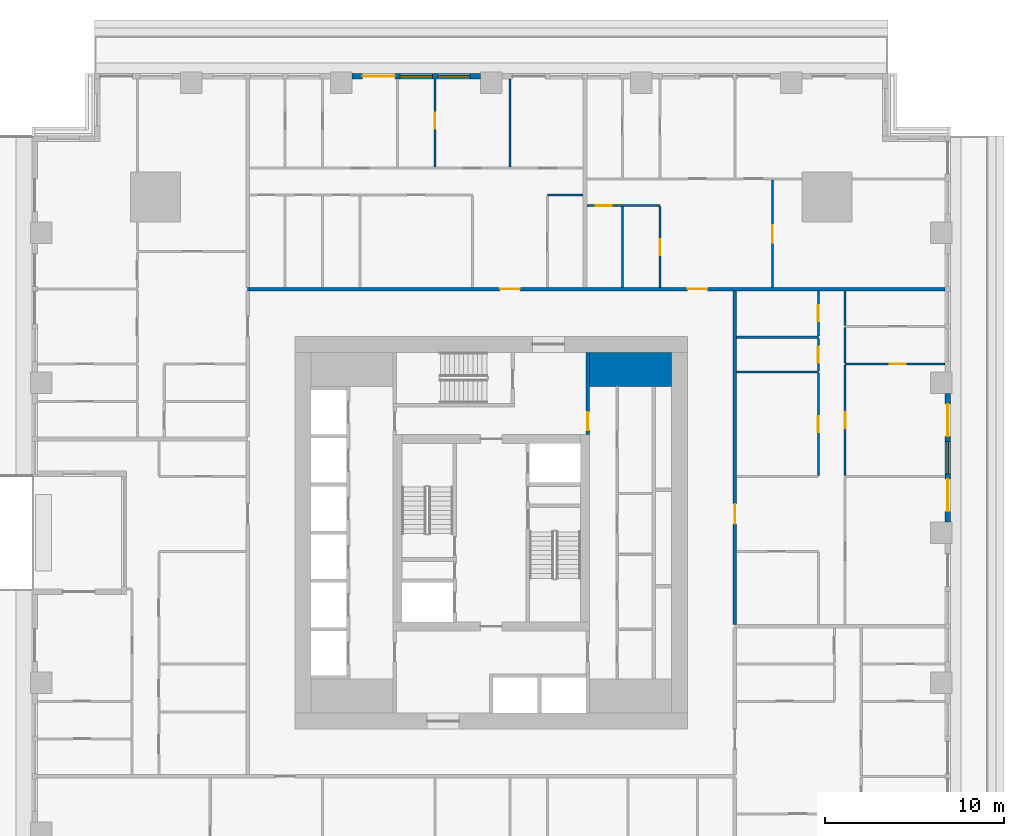
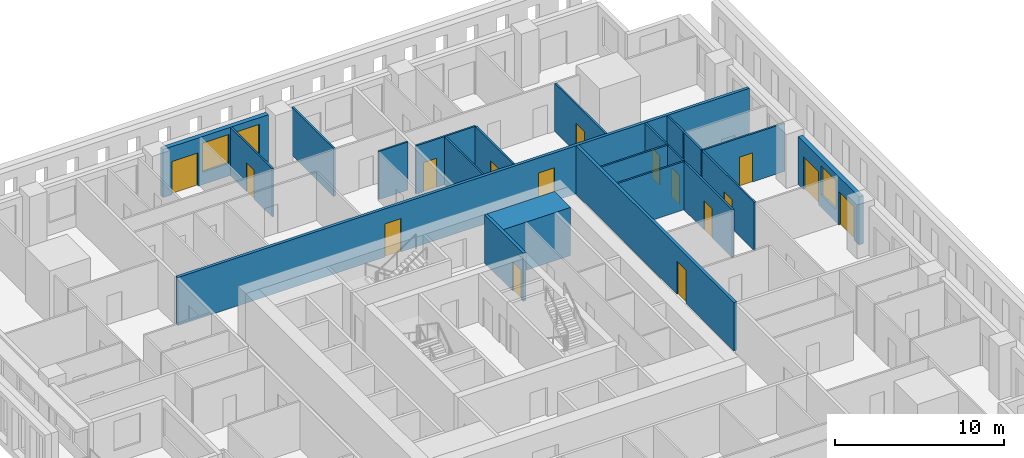
# One storey, part 9 of 16: 22 walls, 16 doors, 3 windows, 19 openings.
"""IFC4 building model written with IfcOpenShell, lengths in metres."""

from ifc_helpers import new_model, si_unit, direction, frame, frame_2d, origin, place, context, subcontext, project, spatial, rectangle, extrude, material, layer, layer_set, type_object, element, fill, save


model = new_model("IFC4")

# Units and contexts
model_context = context("Model", 3, precision=1e-05, world=origin(), true_north=direction((0.0, 1.0)))
body_context = subcontext(model_context, "Body", "Model", "MODEL_VIEW")
ifc_project = project(units=[si_unit("LENGTHUNIT", "METRE"), si_unit("AREAUNIT", "SQUARE_METRE"), si_unit("VOLUMEUNIT", "CUBIC_METRE"), si_unit("PLANEANGLEUNIT", "RADIAN"), si_unit("MASSUNIT", "GRAM", prefix="KILO")], contexts=[model_context])

# Site, building, storey
site_placement = place(None, origin())
site = spatial("IfcSite", under=ifc_project, at=site_placement, CompositionType="ELEMENT")
building_placement = place(site_placement, origin())
building = spatial("IfcBuilding", under=site, at=building_placement, Name="Khepri Terraces", CompositionType="ELEMENT")
storey_placement = place(building_placement, frame((0.0, 0.0, 79.199951171875)))
storey = spatial("IfcBuildingStorey", under=building, at=storey_placement, Name="L18", CompositionType="ELEMENT", Elevation=79.199951171875)

# Wall
ifc_material_1 = material(Name="Concrete C70/85", Category="concrete")
ifc_layer_1 = layer(ifc_material_1, 1.89990234375, Name="Concrete C70/85", Category="concrete")
ifc_layer_set_1 = layer_set([ifc_layer_1], Name="Concrete C70/85")
wall_type_1 = type_object("IfcWallType", Name="Core wall 1900 C70/85", PredefinedType="SHEAR", material=ifc_layer_set_1)
wall_1_placement = place(storey_placement, frame((5.5, 9.14990234375, 0.0), z_axis=(0.0, 0.0, 1.0), x_axis=(1.0, 0.0, 0.0)))
element("IfcWall", 1, at=wall_1_placement, inside=storey, type_object=wall_type_1, Name="Core wall PR04 L18", PredefinedType="SHEAR", context=body_context, shape_type="SweptSolid", body=[
    extrude(rectangle(XDim=4.60009765625, YDim=1.89990234375, at=frame_2d((2.300048828125, 0.0))), origin(), (0.0, 0.0, 1.0), 3.47998046875),
])

# Wall, opening, door
ifc_material_2 = material(Name="Fire-rated gypsum board partition")
ifc_layer_2 = layer(ifc_material_2, 0.199951171875, Name="Fire-rated gypsum board partition")
ifc_layer_set_2 = layer_set([ifc_layer_2], Name="Fire-rated gypsum board partition")
wall_type_2 = type_object("IfcWallType", Name="WL-CORE-PART-200", PredefinedType="PARTITIONING", material=ifc_layer_set_2)
wall_2_placement = place(storey_placement, frame((5.39990234375, 5.5, 0.0), z_axis=(0.0, 0.0, 1.0), x_axis=(0.0, 1.0, 0.0)))
wall_2 = element("IfcWall", 2, at=wall_2_placement, inside=storey, type_object=wall_type_2, Name="Core partition PT08 L18", PredefinedType="PARTITIONING", context=body_context, shape_type="SweptSolid", body=[
    extrude(rectangle(XDim=4.60009765625, YDim=0.199951171875, at=frame_2d((2.300048828125, 0.0))), origin(), (0.0, 0.0, 1.0), 3.47998046875),
])
opening_1_placement = place(wall_2_placement, frame((0.25, 0.0, 0.0)))
opening_1 = element("IfcOpeningElement", 3, at=opening_1_placement, cuts=wall_2, Name="Opening L18-C17", PredefinedType="OPENING", context=body_context, shape_type="SweptSolid", body=[
    extrude(rectangle(XDim=1.0, YDim=2.10009765625, at=frame_2d((0.5, 1.050048828125))), frame((0.0, 0.10986328125, 0.0), z_axis=(0.0, -1.0, 0.0), x_axis=(1.0, 0.0, 0.0)), (0.0, 0.0, 1.0), 0.219970703125),
])
ifc_material_3 = material(Name="Painted steel", Category="steel")
door_type_1 = type_object("IfcDoorType", Name="DR-CORE-LOBBY-1000", OperationType="NOTDEFINED", PredefinedType="DOOR", material=ifc_material_3)
door_1_placement = place(opening_1_placement, origin())
door_1 = element("IfcDoor", 4, at=door_1_placement, inside=storey, type_object=door_type_1, Name="Lobby door L18-C17", OperationType="SINGLE_SWING_LEFT", OverallHeight=2.10009765625, OverallWidth=1.0, PredefinedType="DOOR", context=body_context, shape_type="SweptSolid", body=[
    extrude(rectangle(XDim=1.0, YDim=2.10009765625, at=frame_2d((0.5, 1.050048828125))), frame((0.0, 0.02490234375, 0.0), z_axis=(0.0, -1.0, 0.0), x_axis=(1.0, 0.0, 0.0)), (0.0, 0.0, 1.0), 0.050048828125),
])
fill(opening_1, door_1)

ifc_material_4 = material(Name="Fire-rated gypsum plasterboard partition, mineral wool")
ifc_layer_3 = layer(ifc_material_4, 0.199951171875, Name="Fire-rated gypsum plasterboard partition, mineral wool")
ifc_layer_set_3 = layer_set([ifc_layer_3], Name="Fire-rated gypsum plasterboard partition, mineral wool")
wall_type_3 = type_object("IfcWallType", Name="WL-CORR-200", PredefinedType="PARTITIONING", material=ifc_layer_set_3)
wall_3_placement = place(storey_placement, frame((13.64990234375, -5.14990234375, 0.0), z_axis=(0.0, 0.0, 1.0), x_axis=(0.0, 1.0, 0.0)))
wall_3 = element("IfcWall", 5, at=wall_3_placement, inside=storey, type_object=wall_type_3, Name="Partition P-047 L18", PredefinedType="PARTITIONING", context=body_context, shape_type="SweptSolid", body=[
    extrude(rectangle(XDim=18.699951171875, YDim=0.199951171875, at=frame_2d((9.35009765625, 0.0))), origin(), (0.0, 0.0, 1.0), 3.47998046875),
])
opening_2_placement = place(wall_3_placement, frame((5.64990234375, 0.0, 0.0)))
opening_2 = element("IfcOpeningElement", 6, at=opening_2_placement, cuts=wall_3, Name="Opening D1", PredefinedType="OPENING", context=body_context, shape_type="SweptSolid", body=[
    extrude(rectangle(XDim=1.10009765625, YDim=2.39990234375, at=frame_2d((0.550048828125, 1.199951171875))), frame((0.0, 0.10986328125, 0.0), z_axis=(0.0, -1.0, 0.0), x_axis=(1.0, 0.0, 0.0)), (0.0, 0.0, 1.0), 0.219970703125),
])
ifc_material_5 = material(Name="Solid-core timber door leaf, flat entrance door", Category="wood")
door_type_2 = type_object("IfcDoorType", Name="DR-ENT-1100", OperationType="NOTDEFINED", PredefinedType="DOOR", material=ifc_material_5)
door_2_placement = place(opening_2_placement, frame((1.10009765625, 0.0, 0.0), z_axis=(0.0, 0.0, 1.0), x_axis=(-1.0, 0.0, 0.0)))
door_2 = element("IfcDoor", 7, at=door_2_placement, inside=storey, type_object=door_type_2, Name="Flat B2 entrance door", OperationType="SINGLE_SWING_RIGHT", OverallHeight=2.39990234375, OverallWidth=1.10009765625, PredefinedType="DOOR", context=body_context, shape_type="SweptSolid", body=[
    extrude(rectangle(XDim=1.10009765625, YDim=2.39990234375, at=frame_2d((0.550048828125, 1.199951171875))), frame((0.0, 0.02490234375, 0.0), z_axis=(0.0, -1.0, 0.0), x_axis=(1.0, 0.0, 0.0)), (0.0, 0.0, 1.0), 0.050048828125),
])
fill(opening_2, door_2)

# Wall, openings, doors
wall_4_placement = place(storey_placement, frame((-13.64990234375, 13.64990234375, 0.0), z_axis=(0.0, 0.0, 1.0), x_axis=(1.0, 0.0, 0.0)))
wall_4 = element("IfcWall", 8, at=wall_4_placement, inside=storey, type_object=wall_type_3, Name="Partition P-079 L18", PredefinedType="PARTITIONING", context=body_context, shape_type="SweptSolid", body=[
    extrude(rectangle(XDim=39.06982421875, YDim=0.199951171875, at=frame_2d((19.534912109375, 0.0))), origin(), (0.0, 0.0, 1.0), 3.47998046875),
])
opening_3_placement = place(wall_4_placement, frame((24.64990234375, 0.0, 0.0)))
opening_3 = element("IfcOpeningElement", 9, at=opening_3_placement, cuts=wall_4, Name="Opening D1", PredefinedType="OPENING", context=body_context, shape_type="SweptSolid", body=[
    extrude(rectangle(XDim=1.10009765625, YDim=2.39990234375, at=frame_2d((0.550048828125, 1.199951171875))), frame((0.0, 0.10986328125, 0.0), z_axis=(0.0, -1.0, 0.0), x_axis=(1.0, 0.0, 0.0)), (0.0, 0.0, 1.0), 0.219970703125),
])
opening_4_placement = place(wall_4_placement, frame((14.14990234375, 0.0, 0.0)))
opening_4 = element("IfcOpeningElement", 10, at=opening_4_placement, cuts=wall_4, Name="Opening D1", PredefinedType="OPENING", context=body_context, shape_type="SweptSolid", body=[
    extrude(rectangle(XDim=1.10009765625, YDim=2.39990234375, at=frame_2d((0.550048828125, 1.199951171875))), frame((0.0, 0.10986328125, 0.0), z_axis=(0.0, -1.0, 0.0), x_axis=(1.0, 0.0, 0.0)), (0.0, 0.0, 1.0), 0.219970703125),
])
door_3_placement = place(opening_3_placement, origin())
door_3 = element("IfcDoor", 11, at=door_3_placement, inside=storey, type_object=door_type_2, Name="Flat C1 entrance door", OperationType="SINGLE_SWING_RIGHT", OverallHeight=2.39990234375, OverallWidth=1.10009765625, PredefinedType="DOOR", context=body_context, shape_type="SweptSolid", body=[
    extrude(rectangle(XDim=1.10009765625, YDim=2.39990234375, at=frame_2d((0.550048828125, 1.199951171875))), frame((0.0, 0.02490234375, 0.0), z_axis=(0.0, -1.0, 0.0), x_axis=(1.0, 0.0, 0.0)), (0.0, 0.0, 1.0), 0.050048828125),
])
fill(opening_3, door_3)
door_4_placement = place(opening_4_placement, origin())
door_4 = element("IfcDoor", 12, at=door_4_placement, inside=storey, type_object=door_type_2, Name="Flat C2 entrance door", OperationType="SINGLE_SWING_LEFT", OverallHeight=2.39990234375, OverallWidth=1.10009765625, PredefinedType="DOOR", context=body_context, shape_type="SweptSolid", body=[
    extrude(rectangle(XDim=1.10009765625, YDim=2.39990234375, at=frame_2d((0.550048828125, 1.199951171875))), frame((0.0, 0.02490234375, 0.0), z_axis=(0.0, -1.0, 0.0), x_axis=(1.0, 0.0, 0.0)), (0.0, 0.0, 1.0), 0.050048828125),
])
fill(opening_4, door_4)

# Wall, openings, doors, window
ifc_material_6 = material(Name="Precast concrete C50/60 warm stone", Category="masonry")
ifc_layer_4 = layer(ifc_material_6, 0.300048828125, Name="Precast concrete C50/60 warm stone", Category="masonry")
ifc_layer_set_4 = layer_set([ifc_layer_4], Name="Precast concrete C50/60 warm stone")
wall_type_4 = type_object("IfcWallType", Name="WL-EXT-PRECAST-300", PredefinedType="STANDARD", material=ifc_layer_set_4)
wall_5_placement = place(storey_placement, frame((25.570068359375, 0.60009765625, 0.0), z_axis=(0.0, 0.0, 1.0), x_axis=(0.0, 1.0, 0.0)))
wall_5 = element("IfcWall", 13, at=wall_5_placement, inside=storey, type_object=wall_type_4, Name="External wall L18 E", PredefinedType="STANDARD", context=body_context, shape_type="SweptSolid", body=[
    extrude(rectangle(XDim=7.199951171875, YDim=0.300048828125, at=frame_2d((3.60009765625, 0.0))), origin(), (0.0, 0.0, 1.0), 3.47998046875),
])
opening_5_placement = place(wall_5_placement, frame((0.60009765625, 0.0, 0.0)))
opening_5 = element("IfcOpeningElement", 14, at=opening_5_placement, cuts=wall_5, Name="Opening ED-L18-05", PredefinedType="OPENING", context=body_context, shape_type="SweptSolid", body=[
    extrude(rectangle(XDim=1.800048828125, YDim=2.39990234375, at=frame_2d((0.89990234375, 1.199951171875))), frame((0.0, 0.16015625, 0.0), z_axis=(0.0, -1.0, 0.0), x_axis=(1.0, 0.0, 0.0)), (0.0, 0.0, 1.0), 0.320068359375),
])
opening_6_placement = place(wall_5_placement, frame((2.699951171875, 0.0, 0.89990234375)))
opening_6 = element("IfcOpeningElement", 15, at=opening_6_placement, cuts=wall_5, Name="Opening W1", PredefinedType="OPENING", context=body_context, shape_type="SweptSolid", body=[
    extrude(rectangle(XDim=1.800048828125, YDim=2.10009765625, at=frame_2d((0.89990234375, 1.050048828125))), frame((0.0, 0.16015625, 0.0), z_axis=(0.0, -1.0, 0.0), x_axis=(1.0, 0.0, 0.0)), (0.0, 0.0, 1.0), 0.320068359375),
])
opening_7_placement = place(wall_5_placement, frame((4.800048828125, 0.0, 0.0)))
opening_7 = element("IfcOpeningElement", 16, at=opening_7_placement, cuts=wall_5, Name="Opening ED-L18-06", PredefinedType="OPENING", context=body_context, shape_type="SweptSolid", body=[
    extrude(rectangle(XDim=1.800048828125, YDim=2.39990234375, at=frame_2d((0.89990234375, 1.199951171875))), frame((0.0, 0.16015625, 0.0), z_axis=(0.0, -1.0, 0.0), x_axis=(1.0, 0.0, 0.0)), (0.0, 0.0, 1.0), 0.320068359375),
])
ifc_material_7 = material(Name="Anodised aluminium bronze glazed door", Category="aluminium")
door_type_3 = type_object("IfcDoorType", Name="DR-BAL-SLIDE-1800x2400", OperationType="NOTDEFINED", PredefinedType="DOOR", material=ifc_material_7)
door_5_placement = place(opening_5_placement, origin())
door_5 = element("IfcDoor", 17, at=door_5_placement, inside=storey, type_object=door_type_3, Name="Balcony door L18 E", OperationType="SLIDING_TO_LEFT", OverallHeight=2.39990234375, OverallWidth=1.800048828125, PredefinedType="DOOR", context=body_context, shape_type="SweptSolid", body=[
    extrude(rectangle(XDim=1.800048828125, YDim=2.39990234375, at=frame_2d((0.89990234375, 1.199951171875))), frame((0.0, 0.02490234375, 0.0), z_axis=(0.0, -1.0, 0.0), x_axis=(1.0, 0.0, 0.0)), (0.0, 0.0, 1.0), 0.050048828125),
])
fill(opening_5, door_5)
door_6_placement = place(opening_7_placement, origin())
door_6 = element("IfcDoor", 18, at=door_6_placement, inside=storey, type_object=door_type_3, Name="Balcony door L18 E", OperationType="SLIDING_TO_RIGHT", OverallHeight=2.39990234375, OverallWidth=1.800048828125, PredefinedType="DOOR", context=body_context, shape_type="SweptSolid", body=[
    extrude(rectangle(XDim=1.800048828125, YDim=2.39990234375, at=frame_2d((0.89990234375, 1.199951171875))), frame((0.0, 0.02490234375, 0.0), z_axis=(0.0, -1.0, 0.0), x_axis=(1.0, 0.0, 0.0)), (0.0, 0.0, 1.0), 0.050048828125),
])
fill(opening_7, door_6)
ifc_material_8 = material(Name="Clear glass", Category="glass")
window_type = type_object("IfcWindowType", Name="WIN-RES-1800x2100", PartitioningType="SINGLE_PANEL", PredefinedType="WINDOW", material=ifc_material_8)
window_1_placement = place(opening_6_placement, origin())
window_1 = element("IfcWindow", 19, at=window_1_placement, inside=storey, type_object=window_type, Name="Window L18 E", OverallHeight=2.10009765625, OverallWidth=1.800048828125, PartitioningType="SINGLE_PANEL", PredefinedType="WINDOW", context=body_context, shape_type="SweptSolid", body=[
    extrude(rectangle(XDim=1.800048828125, YDim=2.10009765625, at=frame_2d((0.89990234375, 1.050048828125))), frame((0.0, 0.030029296875, 0.0), z_axis=(0.0, -1.0, 0.0), x_axis=(1.0, 0.0, 0.0)), (0.0, 0.0, 1.0), 0.06005859375),
])
fill(opening_6, window_1)

# Wall, openings, door, windows
wall_6_placement = place(storey_placement, frame((-0.60009765625, 25.570068359375, 0.0), z_axis=(0.0, 0.0, 1.0), x_axis=(-1.0, 0.0, 0.0)))
wall_6 = element("IfcWall", 20, at=wall_6_placement, inside=storey, type_object=wall_type_4, Name="External wall L18 N", PredefinedType="STANDARD", context=body_context, shape_type="SweptSolid", body=[
    extrude(rectangle(XDim=7.199951171875, YDim=0.300048828125, at=frame_2d((3.60009765625, 0.0))), origin(), (0.0, 0.0, 1.0), 3.47998046875),
])
opening_8_placement = place(wall_6_placement, frame((0.60009765625, 0.0, 0.89990234375)))
opening_8 = element("IfcOpeningElement", 21, at=opening_8_placement, cuts=wall_6, Name="Opening W1", PredefinedType="OPENING", context=body_context, shape_type="SweptSolid", body=[
    extrude(rectangle(XDim=1.800048828125, YDim=2.10009765625, at=frame_2d((0.89990234375, 1.050048828125))), frame((0.0, 0.16015625, 0.0), z_axis=(0.0, -1.0, 0.0), x_axis=(1.0, 0.0, 0.0)), (0.0, 0.0, 1.0), 0.320068359375),
])
opening_9_placement = place(wall_6_placement, frame((2.699951171875, 0.0, 0.89990234375)))
opening_9 = element("IfcOpeningElement", 22, at=opening_9_placement, cuts=wall_6, Name="Opening W1", PredefinedType="OPENING", context=body_context, shape_type="SweptSolid", body=[
    extrude(rectangle(XDim=1.800048828125, YDim=2.10009765625, at=frame_2d((0.89990234375, 1.050048828125))), frame((0.0, 0.16015625, 0.0), z_axis=(0.0, -1.0, 0.0), x_axis=(1.0, 0.0, 0.0)), (0.0, 0.0, 1.0), 0.320068359375),
])
opening_10_placement = place(wall_6_placement, frame((4.800048828125, 0.0, 0.0)))
opening_10 = element("IfcOpeningElement", 23, at=opening_10_placement, cuts=wall_6, Name="Opening ED-L18-12", PredefinedType="OPENING", context=body_context, shape_type="SweptSolid", body=[
    extrude(rectangle(XDim=1.800048828125, YDim=2.39990234375, at=frame_2d((0.89990234375, 1.199951171875))), frame((0.0, 0.16015625, 0.0), z_axis=(0.0, -1.0, 0.0), x_axis=(1.0, 0.0, 0.0)), (0.0, 0.0, 1.0), 0.320068359375),
])
door_7_placement = place(opening_10_placement, origin())
door_7 = element("IfcDoor", 24, at=door_7_placement, inside=storey, type_object=door_type_3, Name="Balcony door L18 N", OperationType="SLIDING_TO_RIGHT", OverallHeight=2.39990234375, OverallWidth=1.800048828125, PredefinedType="DOOR", context=body_context, shape_type="SweptSolid", body=[
    extrude(rectangle(XDim=1.800048828125, YDim=2.39990234375, at=frame_2d((0.89990234375, 1.199951171875))), frame((0.0, 0.02490234375, 0.0), z_axis=(0.0, -1.0, 0.0), x_axis=(1.0, 0.0, 0.0)), (0.0, 0.0, 1.0), 0.050048828125),
])
fill(opening_10, door_7)
window_2_placement = place(opening_8_placement, origin())
window_2 = element("IfcWindow", 25, at=window_2_placement, inside=storey, type_object=window_type, Name="Window L18 N", OverallHeight=2.10009765625, OverallWidth=1.800048828125, PartitioningType="SINGLE_PANEL", PredefinedType="WINDOW", context=body_context, shape_type="SweptSolid", body=[
    extrude(rectangle(XDim=1.800048828125, YDim=2.10009765625, at=frame_2d((0.89990234375, 1.050048828125))), frame((0.0, 0.030029296875, 0.0), z_axis=(0.0, -1.0, 0.0), x_axis=(1.0, 0.0, 0.0)), (0.0, 0.0, 1.0), 0.06005859375),
])
fill(opening_8, window_2)
window_3_placement = place(opening_9_placement, origin())
window_3 = element("IfcWindow", 26, at=window_3_placement, inside=storey, type_object=window_type, Name="Window L18 N", OverallHeight=2.10009765625, OverallWidth=1.800048828125, PartitioningType="SINGLE_PANEL", PredefinedType="WINDOW", context=body_context, shape_type="SweptSolid", body=[
    extrude(rectangle(XDim=1.800048828125, YDim=2.10009765625, at=frame_2d((0.89990234375, 1.050048828125))), frame((0.0, 0.030029296875, 0.0), z_axis=(0.0, -1.0, 0.0), x_axis=(1.0, 0.0, 0.0)), (0.0, 0.0, 1.0), 0.06005859375),
])
fill(opening_9, window_3)

# Wall, opening, door
ifc_material_9 = material(Name="Gypsum plasterboard partition")
ifc_layer_5 = layer(ifc_material_9, 0.1201171875, Name="Gypsum plasterboard partition")
ifc_layer_set_5 = layer_set([ifc_layer_5], Name="Gypsum plasterboard partition")
wall_type_5 = type_object("IfcWallType", Name="WL-PART-120", PredefinedType="PARTITIONING", material=ifc_layer_set_5)
wall_7_placement = place(storey_placement, frame((18.320068359375, 3.2099609375, 0.0), z_axis=(0.0, 0.0, 1.0), x_axis=(0.0, 1.0, 0.0)))
wall_7 = element("IfcWall", 27, at=wall_7_placement, inside=storey, type_object=wall_type_5, Name="Partition P-057 L18", PredefinedType="PARTITIONING", context=body_context, shape_type="SweptSolid", body=[
    extrude(rectangle(XDim=5.72998046875, YDim=0.1201171875, at=frame_2d((2.864990234375, 0.0))), origin(), (0.0, 0.0, 1.0), 3.47998046875),
])
opening_11_placement = place(wall_7_placement, frame((2.4150390625, 0.0, 0.0)))
opening_11 = element("IfcOpeningElement", 28, at=opening_11_placement, cuts=wall_7, Name="Opening D3", PredefinedType="OPENING", context=body_context, shape_type="SweptSolid", body=[
    extrude(rectangle(XDim=0.89990234375, YDim=2.10009765625, at=frame_2d((0.449951171875, 1.050048828125))), frame((0.0, 0.070068359375, 0.0), z_axis=(0.0, -1.0, 0.0), x_axis=(1.0, 0.0, 0.0)), (0.0, 0.0, 1.0), 0.14013671875),
])
ifc_material_10 = material(Name="Timber door leaf", Category="wood")
door_type_4 = type_object("IfcDoorType", Name="DR-INT-900", OperationType="NOTDEFINED", PredefinedType="DOOR", material=ifc_material_10)
door_8_placement = place(opening_11_placement, origin())
door_8 = element("IfcDoor", 29, at=door_8_placement, inside=storey, type_object=door_type_4, Name="Door Kitchen", OperationType="SINGLE_SWING_RIGHT", OverallHeight=2.10009765625, OverallWidth=0.89990234375, PredefinedType="DOOR", context=body_context, shape_type="SweptSolid", body=[
    extrude(rectangle(XDim=0.89990234375, YDim=2.10009765625, at=frame_2d((0.449951171875, 1.050048828125))), frame((0.0, 0.02490234375, 0.0), z_axis=(0.0, -1.0, 0.0), x_axis=(1.0, 0.0, 0.0)), (0.0, 0.0, 1.0), 0.050048828125),
])
fill(opening_11, door_8)

wall_8_placement = place(storey_placement, frame((19.820068359375, 3.2099609375, 0.0), z_axis=(0.0, 0.0, 1.0), x_axis=(0.0, 1.0, 0.0)))
wall_8 = element("IfcWall", 30, at=wall_8_placement, inside=storey, type_object=wall_type_5, Name="Partition P-058 L18", PredefinedType="PARTITIONING", context=body_context, shape_type="SweptSolid", body=[
    extrude(rectangle(XDim=6.179931640625, YDim=0.1201171875, at=frame_2d((3.08984375, 0.0))), origin(), (0.0, 0.0, 1.0), 3.47998046875),
])
opening_12_placement = place(wall_8_placement, frame((2.639892578125, 0.0, 0.0)))
opening_12 = element("IfcOpeningElement", 31, at=opening_12_placement, cuts=wall_8, Name="Opening D3", PredefinedType="OPENING", context=body_context, shape_type="SweptSolid", body=[
    extrude(rectangle(XDim=0.89990234375, YDim=2.10009765625, at=frame_2d((0.449951171875, 1.050048828125))), frame((0.0, 0.070068359375, 0.0), z_axis=(0.0, -1.0, 0.0), x_axis=(1.0, 0.0, 0.0)), (0.0, 0.0, 1.0), 0.14013671875),
])
door_9_placement = place(opening_12_placement, frame((0.89990234375, 0.0, 0.0), z_axis=(0.0, 0.0, 1.0), x_axis=(-1.0, 0.0, 0.0)))
door_9 = element("IfcDoor", 32, at=door_9_placement, inside=storey, type_object=door_type_4, Name="Door Master Bedroom", OperationType="SINGLE_SWING_RIGHT", OverallHeight=2.10009765625, OverallWidth=0.89990234375, PredefinedType="DOOR", context=body_context, shape_type="SweptSolid", body=[
    extrude(rectangle(XDim=0.89990234375, YDim=2.10009765625, at=frame_2d((0.449951171875, 1.050048828125))), frame((0.0, 0.02490234375, 0.0), z_axis=(0.0, -1.0, 0.0), x_axis=(1.0, 0.0, 0.0)), (0.0, 0.0, 1.0), 0.050048828125),
])
fill(opening_12, door_9)

# Wall
wall_9_placement = place(storey_placement, frame((13.75, 9.0, 0.0), z_axis=(0.0, 0.0, 1.0), x_axis=(1.0, 0.0, 0.0)))
element("IfcWall", 33, at=wall_9_placement, inside=storey, type_object=wall_type_5, Name="Partition P-067 L18", PredefinedType="PARTITIONING", context=body_context, shape_type="SweptSolid", body=[
    extrude(rectangle(XDim=4.570068359375, YDim=0.1201171875, at=frame_2d((2.28515625, 0.0))), origin(), (0.0, 0.0, 1.0), 3.47998046875),
])

# Wall, opening, door
wall_10_placement = place(storey_placement, frame((18.320068359375, 9.06005859375, 0.0), z_axis=(0.0, 0.0, 1.0), x_axis=(0.0, 1.0, 0.0)))
wall_10 = element("IfcWall", 34, at=wall_10_placement, inside=storey, type_object=wall_type_5, Name="Partition P-068 L18", PredefinedType="PARTITIONING", context=body_context, shape_type="SweptSolid", body=[
    extrude(rectangle(XDim=1.829833984375, YDim=0.1201171875, at=frame_2d((0.9150390625, 0.0))), origin(), (0.0, 0.0, 1.0), 3.47998046875),
])
opening_13_placement = place(wall_10_placement, frame((0.465087890625, 0.0, 0.0)))
opening_13 = element("IfcOpeningElement", 35, at=opening_13_placement, cuts=wall_10, Name="Opening D4", PredefinedType="OPENING", context=body_context, shape_type="SweptSolid", body=[
    extrude(rectangle(XDim=0.89990234375, YDim=2.10009765625, at=frame_2d((0.449951171875, 1.050048828125))), frame((0.0, 0.070068359375, 0.0), z_axis=(0.0, -1.0, 0.0), x_axis=(1.0, 0.0, 0.0)), (0.0, 0.0, 1.0), 0.14013671875),
])
ifc_material_11 = material(Name="Timber door leaf, moisture resistant", Category="wood")
door_type_5 = type_object("IfcDoorType", Name="DR-WET-900", OperationType="NOTDEFINED", PredefinedType="DOOR", material=ifc_material_11)
door_10_placement = place(opening_13_placement, origin())
door_10 = element("IfcDoor", 36, at=door_10_placement, inside=storey, type_object=door_type_5, Name="Door Guest Bathroom", OperationType="SINGLE_SWING_LEFT", OverallHeight=2.10009765625, OverallWidth=0.89990234375, PredefinedType="DOOR", context=body_context, shape_type="SweptSolid", body=[
    extrude(rectangle(XDim=0.89990234375, YDim=2.10009765625, at=frame_2d((0.449951171875, 1.050048828125))), frame((0.0, 0.02490234375, 0.0), z_axis=(0.0, -1.0, 0.0), x_axis=(1.0, 0.0, 0.0)), (0.0, 0.0, 1.0), 0.050048828125),
])
fill(opening_13, door_10)

wall_11_placement = place(storey_placement, frame((19.820068359375, 9.449951171875, 0.0), z_axis=(0.0, 0.0, 1.0), x_axis=(1.0, 0.0, 0.0)))
wall_11 = element("IfcWall", 37, at=wall_11_placement, inside=storey, type_object=wall_type_5, Name="Partition P-071 L18", PredefinedType="PARTITIONING", context=body_context, shape_type="SweptSolid", body=[
    extrude(rectangle(XDim=5.599853515625, YDim=0.1201171875, at=frame_2d((2.7998046875, 0.0))), origin(), (0.0, 0.0, 1.0), 3.47998046875),
])
opening_14_placement = place(wall_11_placement, frame((2.5, 0.0, 0.0)))
opening_14 = element("IfcOpeningElement", 38, at=opening_14_placement, cuts=wall_11, Name="Opening D3", PredefinedType="OPENING", context=body_context, shape_type="SweptSolid", body=[
    extrude(rectangle(XDim=0.89990234375, YDim=2.10009765625, at=frame_2d((0.449951171875, 1.050048828125))), frame((0.0, 0.070068359375, 0.0), z_axis=(0.0, -1.0, 0.0), x_axis=(1.0, 0.0, 0.0)), (0.0, 0.0, 1.0), 0.14013671875),
])
door_11_placement = place(opening_14_placement, origin())
door_11 = element("IfcDoor", 39, at=door_11_placement, inside=storey, type_object=door_type_4, Name="Door Dressing Room", OperationType="SINGLE_SWING_RIGHT", OverallHeight=2.10009765625, OverallWidth=0.89990234375, PredefinedType="DOOR", context=body_context, shape_type="SweptSolid", body=[
    extrude(rectangle(XDim=0.89990234375, YDim=2.10009765625, at=frame_2d((0.449951171875, 1.050048828125))), frame((0.0, 0.02490234375, 0.0), z_axis=(0.0, -1.0, 0.0), x_axis=(1.0, 0.0, 0.0)), (0.0, 0.0, 1.0), 0.050048828125),
])
fill(opening_14, door_11)

# Walls
wall_12_placement = place(storey_placement, frame((19.820068359375, 9.510009765625, 0.0), z_axis=(0.0, 0.0, 1.0), x_axis=(0.0, 1.0, 0.0)))
element("IfcWall", 40, at=wall_12_placement, inside=storey, type_object=wall_type_5, Name="Partition P-073 L18", PredefinedType="PARTITIONING", context=body_context, shape_type="SweptSolid", body=[
    extrude(rectangle(XDim=1.97998046875, YDim=0.1201171875, at=frame_2d((0.989990234375, 0.0))), origin(), (0.0, 0.0, 1.0), 3.47998046875),
])
wall_13_placement = place(storey_placement, frame((13.75, 10.949951171875, 0.0), z_axis=(0.0, 0.0, 1.0), x_axis=(1.0, 0.0, 0.0)))
element("IfcWall", 41, at=wall_13_placement, inside=storey, type_object=wall_type_5, Name="Partition P-074 L18", PredefinedType="PARTITIONING", context=body_context, shape_type="SweptSolid", body=[
    extrude(rectangle(XDim=4.570068359375, YDim=0.1201171875, at=frame_2d((2.28515625, 0.0))), origin(), (0.0, 0.0, 1.0), 3.47998046875),
])

# Wall, opening, door
wall_14_placement = place(storey_placement, frame((18.320068359375, 11.010009765625, 0.0), z_axis=(0.0, 0.0, 1.0), x_axis=(0.0, 1.0, 0.0)))
wall_14 = element("IfcWall", 42, at=wall_14_placement, inside=storey, type_object=wall_type_5, Name="Partition P-075 L18", PredefinedType="PARTITIONING", context=body_context, shape_type="SweptSolid", body=[
    extrude(rectangle(XDim=2.5400390625, YDim=0.1201171875, at=frame_2d((1.27001953125, 0.0))), origin(), (0.0, 0.0, 1.0), 3.47998046875),
])
opening_15_placement = place(wall_14_placement, frame((0.840087890625, 0.0, 0.0)))
opening_15 = element("IfcOpeningElement", 43, at=opening_15_placement, cuts=wall_14, Name="Opening D3", PredefinedType="OPENING", context=body_context, shape_type="SweptSolid", body=[
    extrude(rectangle(XDim=0.89990234375, YDim=2.10009765625, at=frame_2d((0.449951171875, 1.050048828125))), frame((0.0, 0.070068359375, 0.0), z_axis=(0.0, -1.0, 0.0), x_axis=(1.0, 0.0, 0.0)), (0.0, 0.0, 1.0), 0.14013671875),
])
door_12_placement = place(opening_15_placement, origin())
door_12 = element("IfcDoor", 44, at=door_12_placement, inside=storey, type_object=door_type_4, Name="Door Utility Room", OperationType="SINGLE_SWING_RIGHT", OverallHeight=2.10009765625, OverallWidth=0.89990234375, PredefinedType="DOOR", context=body_context, shape_type="SweptSolid", body=[
    extrude(rectangle(XDim=0.89990234375, YDim=2.10009765625, at=frame_2d((0.449951171875, 1.050048828125))), frame((0.0, 0.02490234375, 0.0), z_axis=(0.0, -1.0, 0.0), x_axis=(1.0, 0.0, 0.0)), (0.0, 0.0, 1.0), 0.050048828125),
])
fill(opening_15, door_12)

# Walls
wall_15_placement = place(storey_placement, frame((19.820068359375, 11.610107421875, 0.0), z_axis=(0.0, 0.0, 1.0), x_axis=(0.0, 1.0, 0.0)))
element("IfcWall", 45, at=wall_15_placement, inside=storey, type_object=wall_type_5, Name="Partition P-077 L18", PredefinedType="PARTITIONING", context=body_context, shape_type="SweptSolid", body=[
    extrude(rectangle(XDim=1.93994140625, YDim=0.1201171875, at=frame_2d((0.969970703125, 0.0))), origin(), (0.0, 0.0, 1.0), 3.47998046875),
])
wall_16_placement = place(storey_placement, frame((7.35009765625, 13.75, 0.0), z_axis=(0.0, 0.0, 1.0), x_axis=(0.0, 1.0, 0.0)))
element("IfcWall", 46, at=wall_16_placement, inside=storey, type_object=wall_type_5, Name="Partition P-088 L18", PredefinedType="PARTITIONING", context=body_context, shape_type="SweptSolid", body=[
    extrude(rectangle(XDim=4.510009765625, YDim=0.1201171875, at=frame_2d((2.2548828125, 0.0))), origin(), (0.0, 0.0, 1.0), 3.47998046875),
])

# Wall, opening, door
wall_17_placement = place(storey_placement, frame((9.449951171875, 13.75, 0.0), z_axis=(0.0, 0.0, 1.0), x_axis=(0.0, 1.0, 0.0)))
wall_17 = element("IfcWall", 47, at=wall_17_placement, inside=storey, type_object=wall_type_5, Name="Partition P-089 L18", PredefinedType="PARTITIONING", context=body_context, shape_type="SweptSolid", body=[
    extrude(rectangle(XDim=4.510009765625, YDim=0.1201171875, at=frame_2d((2.2548828125, 0.0))), origin(), (0.0, 0.0, 1.0), 3.47998046875),
])
opening_16_placement = place(wall_17_placement, frame((1.784912109375, 0.0, 0.0)))
opening_16 = element("IfcOpeningElement", 48, at=opening_16_placement, cuts=wall_17, Name="Opening D4", PredefinedType="OPENING", context=body_context, shape_type="SweptSolid", body=[
    extrude(rectangle(XDim=0.89990234375, YDim=2.10009765625, at=frame_2d((0.449951171875, 1.050048828125))), frame((0.0, 0.070068359375, 0.0), z_axis=(0.0, -1.0, 0.0), x_axis=(1.0, 0.0, 0.0)), (0.0, 0.0, 1.0), 0.14013671875),
])
door_13_placement = place(opening_16_placement, origin())
door_13 = element("IfcDoor", 49, at=door_13_placement, inside=storey, type_object=door_type_5, Name="Door Guest Bathroom", OperationType="SINGLE_SWING_LEFT", OverallHeight=2.10009765625, OverallWidth=0.89990234375, PredefinedType="DOOR", context=body_context, shape_type="SweptSolid", body=[
    extrude(rectangle(XDim=0.89990234375, YDim=2.10009765625, at=frame_2d((0.449951171875, 1.050048828125))), frame((0.0, 0.02490234375, 0.0), z_axis=(0.0, -1.0, 0.0), x_axis=(1.0, 0.0, 0.0)), (0.0, 0.0, 1.0), 0.050048828125),
])
fill(opening_16, door_13)

wall_18_placement = place(storey_placement, frame((15.75, 13.75, 0.0), z_axis=(0.0, 0.0, 1.0), x_axis=(0.0, 1.0, 0.0)))
wall_18 = element("IfcWall", 50, at=wall_18_placement, inside=storey, type_object=wall_type_5, Name="Partition P-090 L18", PredefinedType="PARTITIONING", context=body_context, shape_type="SweptSolid", body=[
    extrude(rectangle(XDim=6.010009765625, YDim=0.1201171875, at=frame_2d((3.0048828125, 0.0))), origin(), (0.0, 0.0, 1.0), 3.47998046875),
])
opening_17_placement = place(wall_18_placement, frame((2.485107421875, 0.0, 0.0)))
opening_17 = element("IfcOpeningElement", 51, at=opening_17_placement, cuts=wall_18, Name="Opening D2", PredefinedType="OPENING", context=body_context, shape_type="SweptSolid", body=[
    extrude(rectangle(XDim=1.0, YDim=2.10009765625, at=frame_2d((0.5, 1.050048828125))), frame((0.0, 0.070068359375, 0.0), z_axis=(0.0, -1.0, 0.0), x_axis=(1.0, 0.0, 0.0)), (0.0, 0.0, 1.0), 0.14013671875),
])
ifc_material_12 = material(Name="Timber door leaf, living room door", Category="wood")
door_type_6 = type_object("IfcDoorType", Name="DR-INT-1000", OperationType="NOTDEFINED", PredefinedType="DOOR", material=ifc_material_12)
door_14_placement = place(opening_17_placement, frame((1.0, 0.0, 0.0), z_axis=(0.0, 0.0, 1.0), x_axis=(-1.0, 0.0, 0.0)))
door_14 = element("IfcDoor", 52, at=door_14_placement, inside=storey, type_object=door_type_6, Name="Door Family Room", OperationType="SINGLE_SWING_RIGHT", OverallHeight=2.10009765625, OverallWidth=1.0, PredefinedType="DOOR", context=body_context, shape_type="SweptSolid", body=[
    extrude(rectangle(XDim=1.0, YDim=2.10009765625, at=frame_2d((0.5, 1.050048828125))), frame((0.0, 0.02490234375, 0.0), z_axis=(0.0, -1.0, 0.0), x_axis=(1.0, 0.0, 0.0)), (0.0, 0.0, 1.0), 0.050048828125),
])
fill(opening_17, door_14)

wall_19_placement = place(storey_placement, frame((5.35009765625, 18.320068359375, 0.0), z_axis=(0.0, 0.0, 1.0), x_axis=(1.0, 0.0, 0.0)))
wall_19 = element("IfcWall", 53, at=wall_19_placement, inside=storey, type_object=wall_type_5, Name="Partition P-093 L18", PredefinedType="PARTITIONING", context=body_context, shape_type="SweptSolid", body=[
    extrude(rectangle(XDim=4.099853515625, YDim=0.1201171875, at=frame_2d((2.0498046875, 0.0))), origin(), (0.0, 0.0, 1.0), 3.47998046875),
])
opening_18_placement = place(wall_19_placement, frame((0.5, 0.0, 0.0)))
opening_18 = element("IfcOpeningElement", 54, at=opening_18_placement, cuts=wall_19, Name="Opening D3", PredefinedType="OPENING", context=body_context, shape_type="SweptSolid", body=[
    extrude(rectangle(XDim=0.89990234375, YDim=2.10009765625, at=frame_2d((0.449951171875, 1.050048828125))), frame((0.0, 0.070068359375, 0.0), z_axis=(0.0, -1.0, 0.0), x_axis=(1.0, 0.0, 0.0)), (0.0, 0.0, 1.0), 0.14013671875),
])
door_15_placement = place(opening_18_placement, frame((0.89990234375, 0.0, 0.0), z_axis=(0.0, 0.0, 1.0), x_axis=(-1.0, 0.0, 0.0)))
door_15 = element("IfcDoor", 55, at=door_15_placement, inside=storey, type_object=door_type_4, Name="Door Kitchen", OperationType="SINGLE_SWING_RIGHT", OverallHeight=2.10009765625, OverallWidth=0.89990234375, PredefinedType="DOOR", context=body_context, shape_type="SweptSolid", body=[
    extrude(rectangle(XDim=0.89990234375, YDim=2.10009765625, at=frame_2d((0.449951171875, 1.050048828125))), frame((0.0, 0.02490234375, 0.0), z_axis=(0.0, -1.0, 0.0), x_axis=(1.0, 0.0, 0.0)), (0.0, 0.0, 1.0), 0.050048828125),
])
fill(opening_18, door_15)

# Wall
wall_20_placement = place(storey_placement, frame((3.14990234375, 18.919921875, 0.0), z_axis=(0.0, 0.0, 1.0), x_axis=(1.0, 0.0, 0.0)))
element("IfcWall", 56, at=wall_20_placement, inside=storey, type_object=wall_type_5, Name="Partition P-095 L18", PredefinedType="PARTITIONING", context=body_context, shape_type="SweptSolid", body=[
    extrude(rectangle(XDim=2.0, YDim=0.1201171875, at=frame_2d((1.0, 0.0))), origin(), (0.0, 0.0, 1.0), 3.47998046875),
])

# Wall, opening, door
wall_21_placement = place(storey_placement, frame((-3.14990234375, 20.47998046875, 0.0), z_axis=(0.0, 0.0, 1.0), x_axis=(0.0, 1.0, 0.0)))
wall_21 = element("IfcWall", 57, at=wall_21_placement, inside=storey, type_object=wall_type_5, Name="Partition P-106 L18", PredefinedType="PARTITIONING", context=body_context, shape_type="SweptSolid", body=[
    extrude(rectangle(XDim=4.93994140625, YDim=0.1201171875, at=frame_2d((2.469970703125, 0.0))), origin(), (0.0, 0.0, 1.0), 3.47998046875),
])
opening_19_placement = place(wall_21_placement, frame((2.139892578125, 0.0, 0.0)))
opening_19 = element("IfcOpeningElement", 58, at=opening_19_placement, cuts=wall_21, Name="Opening D4", PredefinedType="OPENING", context=body_context, shape_type="SweptSolid", body=[
    extrude(rectangle(XDim=0.89990234375, YDim=2.10009765625, at=frame_2d((0.449951171875, 1.050048828125))), frame((0.0, 0.070068359375, 0.0), z_axis=(0.0, -1.0, 0.0), x_axis=(1.0, 0.0, 0.0)), (0.0, 0.0, 1.0), 0.14013671875),
])
door_16_placement = place(opening_19_placement, origin())
door_16 = element("IfcDoor", 59, at=door_16_placement, inside=storey, type_object=door_type_5, Name="Door Bathroom", OperationType="SINGLE_SWING_RIGHT", OverallHeight=2.10009765625, OverallWidth=0.89990234375, PredefinedType="DOOR", context=body_context, shape_type="SweptSolid", body=[
    extrude(rectangle(XDim=0.89990234375, YDim=2.10009765625, at=frame_2d((0.449951171875, 1.050048828125))), frame((0.0, 0.02490234375, 0.0), z_axis=(0.0, -1.0, 0.0), x_axis=(1.0, 0.0, 0.0)), (0.0, 0.0, 1.0), 0.050048828125),
])
fill(opening_19, door_16)

# Wall
wall_22_placement = place(storey_placement, frame((1.050048828125, 20.47998046875, 0.0), z_axis=(0.0, 0.0, 1.0), x_axis=(0.0, 1.0, 0.0)))
element("IfcWall", 60, at=wall_22_placement, inside=storey, type_object=wall_type_5, Name="Partition P-107 L18", PredefinedType="PARTITIONING", context=body_context, shape_type="SweptSolid", body=[
    extrude(rectangle(XDim=4.93994140625, YDim=0.1201171875, at=frame_2d((2.469970703125, 0.0))), origin(), (0.0, 0.0, 1.0), 3.47998046875),
])

save(model, "model.ifc")
